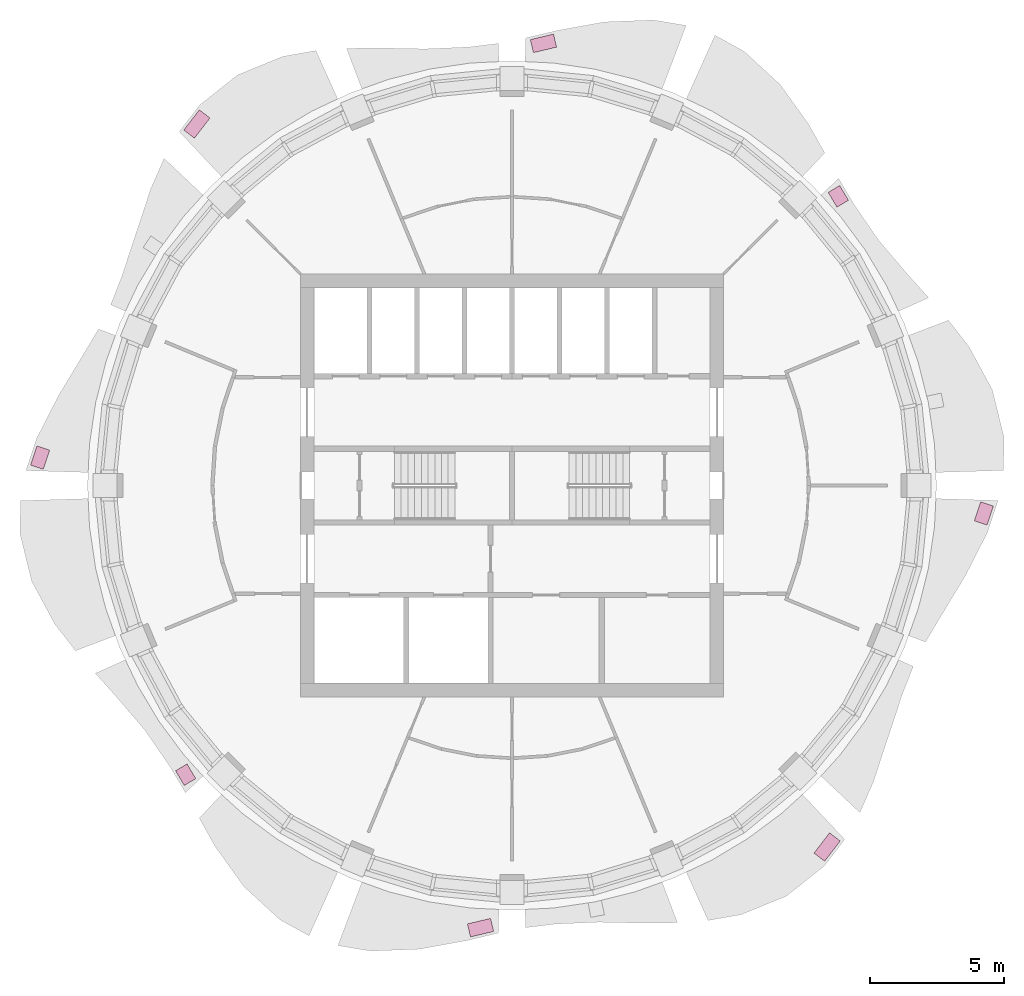
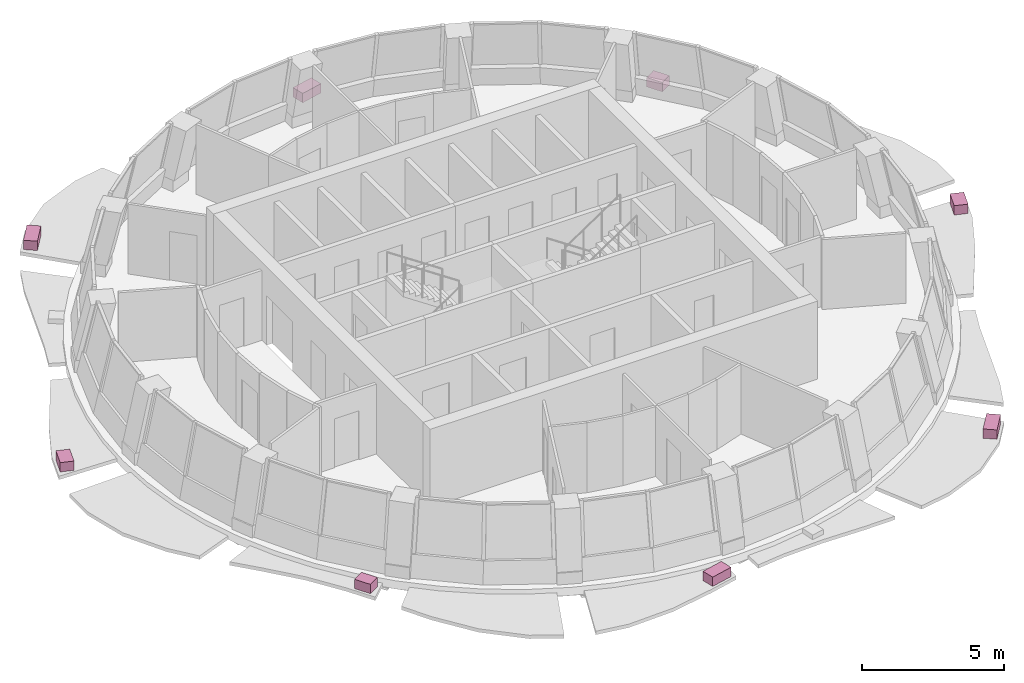
# One storey, part 11 of 11: 8 furniture elements.
"""IFC4 building model written with IfcOpenShell, lengths in metres."""

from ifc_helpers import new_model, si_unit, direction, frame, origin, origin_2d, place, context, subcontext, project, spatial, rectangle, extrude, material, type_object, element, save


model = new_model("IFC4")

# Units and contexts
model_context = context("Model", 3, precision=1e-05, world=origin(), true_north=direction((0.0, 1.0)))
body_context = subcontext(model_context, "Body", "Model", "MODEL_VIEW")
ifc_project = project(units=[si_unit("LENGTHUNIT", "METRE"), si_unit("AREAUNIT", "SQUARE_METRE"), si_unit("VOLUMEUNIT", "CUBIC_METRE"), si_unit("PLANEANGLEUNIT", "RADIAN"), si_unit("MASSUNIT", "GRAM", prefix="KILO")], contexts=[model_context])

# Site, building, storey
site_placement = place(None, origin())
site = spatial("IfcSite", under=ifc_project, at=site_placement, CompositionType="ELEMENT")
building_placement = place(site_placement, origin())
building = spatial("IfcBuilding", under=site, at=building_placement, Name="Polderwave Tower", CompositionType="ELEMENT")
storey_placement = place(building_placement, frame((0.0, 0.0, 224.5)))
storey = spatial("IfcBuildingStorey", under=building, at=storey_placement, Name="L61", CompositionType="ELEMENT", Elevation=224.5)

# Furniture
ifc_material = material(Name="Terracotta", Category="masonry")
furniture_type = type_object("IfcFurnitureType", Name="Terracotta planting trough", AssemblyPlace="NOTDEFINED", PredefinedType="USERDEFINED", material=ifc_material)
furniture_1_placement = place(storey_placement, frame((12.1455078125, 10.762939453125, -0.199951171875), z_axis=(0.0, 0.0, 1.0), x_axis=(-0.510539916458, 0.859854053723, 0.0)))
element("IfcFurniture", 1, at=furniture_1_placement, inside=storey, type_object=furniture_type, Name="Planting trough L61 2", ObjectType="PLANTER", PredefinedType="USERDEFINED", context=body_context, shape_type="SweptSolid", body=[
    extrude(rectangle(XDim=0.63720703125, YDim=0.5, at=origin_2d()), origin(), (0.0, 0.0, 1.0), 0.39990234375),
])
furniture_2_placement = place(storey_placement, frame((1.171142578125, 16.455810546875, -0.199951171875), z_axis=(0.0, 0.0, 1.0), x_axis=(-0.972889822724, -0.23126909184, 0.0)))
element("IfcFurniture", 2, at=furniture_2_placement, inside=storey, type_object=furniture_type, Name="Planting trough L61 4", ObjectType="PLANTER", PredefinedType="USERDEFINED", context=body_context, shape_type="SweptSolid", body=[
    extrude(rectangle(XDim=0.887451171875, YDim=0.5, at=origin_2d()), origin(), (0.0, 0.0, 1.0), 0.39990234375),
])
furniture_3_placement = place(storey_placement, frame((-11.7275390625, 13.454833984375, -0.199951171875), z_axis=(0.0, 0.0, 1.0), x_axis=(-0.609227955042, -0.792995144245, 0.0)))
element("IfcFurniture", 3, at=furniture_3_placement, inside=storey, type_object=furniture_type, Name="Planting trough L61 6", ObjectType="PLANTER", PredefinedType="USERDEFINED", context=body_context, shape_type="SweptSolid", body=[
    extrude(rectangle(XDim=0.95068359375, YDim=0.5, at=origin_2d()), origin(), (0.0, 0.0, 1.0), 0.39990234375),
])
furniture_4_placement = place(storey_placement, frame((-17.56298828125, 1.039794921875, -0.199951171875), z_axis=(0.0, 0.0, 1.0), x_axis=(-0.314408347899, -0.949287833468, 0.0)))
element("IfcFurniture", 4, at=furniture_4_placement, inside=storey, type_object=furniture_type, Name="Planting trough L61 8", ObjectType="PLANTER", PredefinedType="USERDEFINED", context=body_context, shape_type="SweptSolid", body=[
    extrude(rectangle(XDim=0.75, YDim=0.5, at=origin_2d()), origin(), (0.0, 0.0, 1.0), 0.39990234375),
])
furniture_5_placement = place(storey_placement, frame((-12.1455078125, -10.762939453125, -0.199951171875), z_axis=(0.0, 0.0, 1.0), x_axis=(0.510539916458, -0.859854053723, 0.0)))
element("IfcFurniture", 5, at=furniture_5_placement, inside=storey, type_object=furniture_type, Name="Planting trough L61 10", ObjectType="PLANTER", PredefinedType="USERDEFINED", context=body_context, shape_type="SweptSolid", body=[
    extrude(rectangle(XDim=0.63720703125, YDim=0.5, at=origin_2d()), origin(), (0.0, 0.0, 1.0), 0.39990234375),
])
furniture_6_placement = place(storey_placement, frame((-1.171142578125, -16.455810546875, -0.199951171875), z_axis=(0.0, 0.0, 1.0), x_axis=(0.972889822724, 0.23126909184, 0.0)))
element("IfcFurniture", 6, at=furniture_6_placement, inside=storey, type_object=furniture_type, Name="Planting trough L61 12", ObjectType="PLANTER", PredefinedType="USERDEFINED", context=body_context, shape_type="SweptSolid", body=[
    extrude(rectangle(XDim=0.887451171875, YDim=0.5, at=origin_2d()), origin(), (0.0, 0.0, 1.0), 0.39990234375),
])
furniture_7_placement = place(storey_placement, frame((11.7275390625, -13.454833984375, -0.199951171875), z_axis=(0.0, 0.0, 1.0), x_axis=(0.609227955042, 0.792995144245, 0.0)))
element("IfcFurniture", 7, at=furniture_7_placement, inside=storey, type_object=furniture_type, Name="Planting trough L61 14", ObjectType="PLANTER", PredefinedType="USERDEFINED", context=body_context, shape_type="SweptSolid", body=[
    extrude(rectangle(XDim=0.95068359375, YDim=0.5, at=origin_2d()), origin(), (0.0, 0.0, 1.0), 0.39990234375),
])
furniture_8_placement = place(storey_placement, frame((17.56298828125, -1.039794921875, -0.199951171875), z_axis=(0.0, 0.0, 1.0), x_axis=(0.314408347899, 0.949287833468, 0.0)))
element("IfcFurniture", 8, at=furniture_8_placement, inside=storey, type_object=furniture_type, Name="Planting trough L61 16", ObjectType="PLANTER", PredefinedType="USERDEFINED", context=body_context, shape_type="SweptSolid", body=[
    extrude(rectangle(XDim=0.75, YDim=0.5, at=origin_2d()), origin(), (0.0, 0.0, 1.0), 0.39990234375),
])

save(model, "model.ifc")
